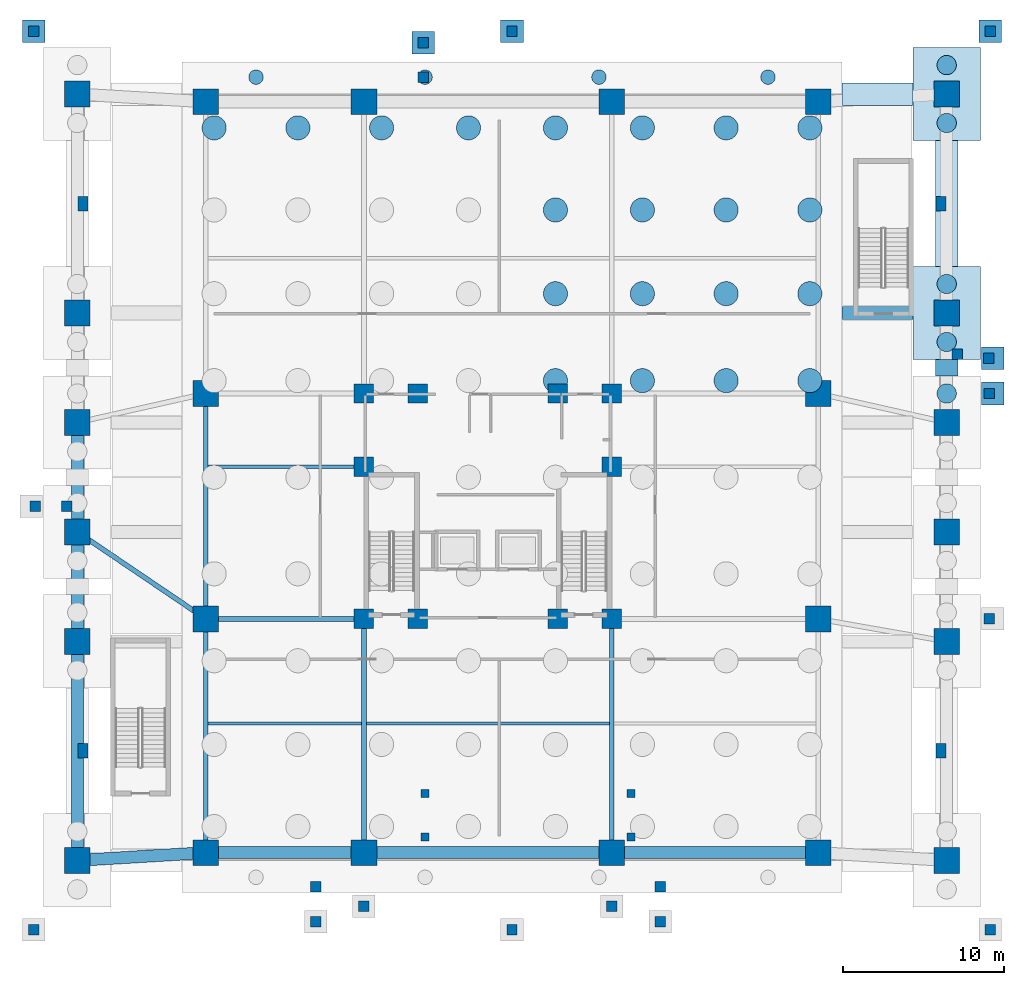
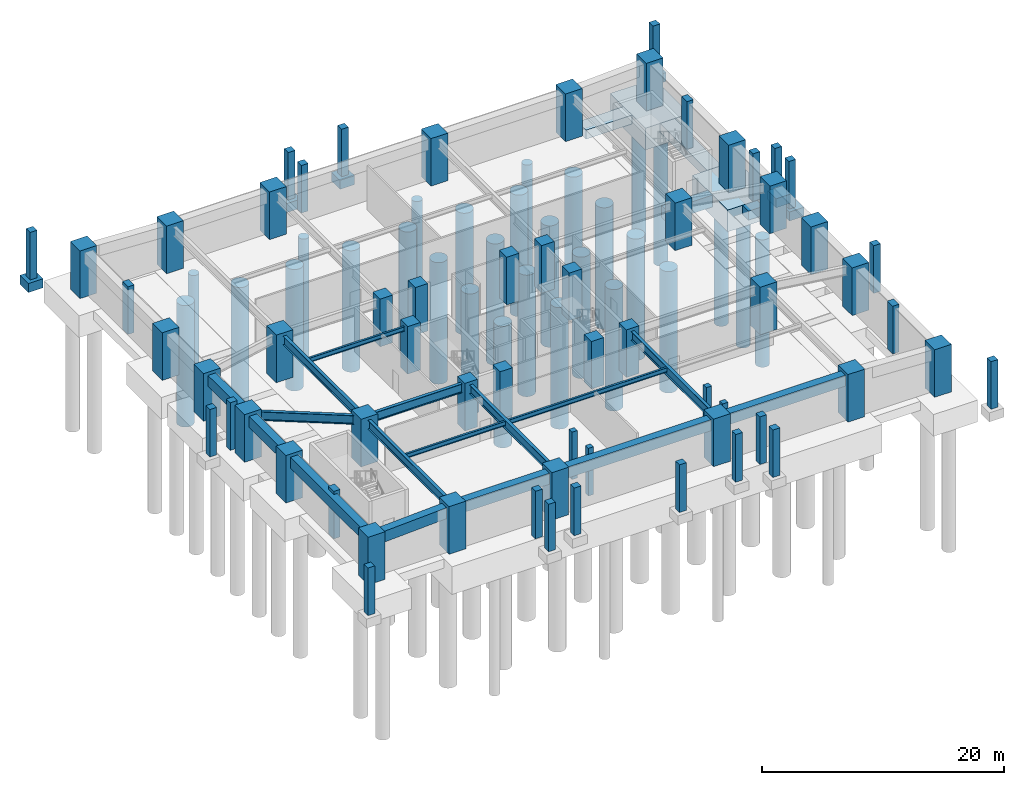
# One storey, part 2 of 8: 62 columns, 29 piles, 16 beams, 12 footings.
"""IFC4 building model written with IfcOpenShell, lengths in metres."""

from ifc_helpers import new_model, si_unit, derived_unit, direction, frame, origin, origin_2d, place, context, subcontext, project, spatial, polyline, rectangle, circle, i_section, outline, extrude, material, layer, layer_set, material_profile, profile_set, type_object, element, save


model = new_model("IFC4")

# Units and contexts
model_context = context("Model", 3, precision=1e-05, world=origin(), true_north=direction((0.0, 1.0)))
body_context = subcontext(model_context, "Body", "Model", "MODEL_VIEW")
ifc_project = project(units=[si_unit("LENGTHUNIT", "METRE"), si_unit("AREAUNIT", "SQUARE_METRE"), si_unit("VOLUMEUNIT", "CUBIC_METRE"), si_unit("PLANEANGLEUNIT", "RADIAN"), si_unit("MASSUNIT", "GRAM", prefix="KILO"), derived_unit("THERMALTRANSMITTANCEUNIT", [(si_unit("MASSUNIT", "GRAM", prefix="KILO"), 1), (si_unit("TIMEUNIT", "SECOND"), -3), (si_unit("THERMODYNAMICTEMPERATUREUNIT", "KELVIN"), -1)])], contexts=[model_context])

# Site, building, storey
site_placement = place(None, origin())
site = spatial("IfcSite", under=ifc_project, at=site_placement, CompositionType="ELEMENT")
building_placement = place(site_placement, origin())
building = spatial("IfcBuilding", under=site, at=building_placement, Name="Korrvale Station Residences", CompositionType="ELEMENT")
storey_placement = place(building_placement, frame((0.0, 0.0, -9.60009765625)))
storey = spatial("IfcBuildingStorey", under=building, at=storey_placement, Name="B02", CompositionType="ELEMENT", Elevation=-9.60009765625)

# Footings
ifc_material_1 = material(Name="Concrete C50/60", Category="concrete")
ifc_layer_1 = layer(ifc_material_1, 2.199951171875, Name="Concrete C50/60")
ifc_layer_set_1 = layer_set([ifc_layer_1], Name="Concrete C50/60")
footing_type_1 = type_object("IfcFootingType", Name="FTG-CAP-4200x5800", PredefinedType="PILE_CAP", material=ifc_layer_set_1)
footing_1_placement = place(storey_placement, frame((0.0, 0.0, -2.199951171875)))
element("IfcFooting", 1, at=footing_1_placement, inside=storey, type_object=footing_type_1, Name="Station Mega-Column Pile Cap PC-11", PredefinedType="PILE_CAP", context=body_context, shape_type="SweptSolid", body=[
    extrude(outline(polyline([(51.89990234375, 31.10009765625), (56.10009765625, 31.10009765625), (56.10009765625, 36.89990234375), (51.89990234375, 36.89990234375), (51.89990234375, 31.10009765625)])), origin(), (0.0, 0.0, 1.0), 2.199951171875),
])
footing_2_placement = place(storey_placement, frame((0.0, 0.0, -2.199951171875)))
element("IfcFooting", 2, at=footing_2_placement, inside=storey, type_object=footing_type_1, Name="Station Mega-Column Pile Cap PC-12", PredefinedType="PILE_CAP", context=body_context, shape_type="SweptSolid", body=[
    extrude(outline(polyline([(51.89990234375, 44.699951171875), (56.10009765625, 44.699951171875), (56.10009765625, 50.5), (51.89990234375, 50.5), (51.89990234375, 44.699951171875)])), origin(), (0.0, 0.0, 1.0), 2.199951171875),
])
ifc_layer_2 = layer(ifc_material_1, 1.199951171875, Name="Concrete C50/60")
ifc_layer_set_2 = layer_set([ifc_layer_2], Name="Concrete C50/60")
footing_type_2 = type_object("IfcFootingType", Name="FTG-GB-800x1200", PredefinedType="FOOTING_BEAM", material=ifc_layer_set_2)
footing_3_placement = place(storey_placement, frame((0.0, 0.0, -1.199951171875)))
element("IfcFooting", 3, at=footing_3_placement, inside=storey, type_object=footing_type_2, Name="Foundation Tie Ground Beam GB-08", PredefinedType="FOOTING_BEAM", context=body_context, shape_type="SweptSolid", body=[
    extrude(outline(polyline([(47.5, 33.60009765625), (51.89990234375, 33.60009765625), (51.89990234375, 34.39990234375), (47.5, 34.39990234375), (47.5, 33.60009765625)])), origin(), (0.0, 0.0, 1.0), 1.199951171875),
])
ifc_layer_3 = layer(ifc_material_1, 0.89990234375, Name="Concrete C50/60")
ifc_layer_set_3 = layer_set([ifc_layer_3], Name="Concrete C50/60")
footing_type_3 = type_object("IfcFootingType", Name="FTG-SF-1400x900", PredefinedType="STRIP_FOOTING", material=ifc_layer_set_3)
footing_4_placement = place(storey_placement, frame((0.0, 0.0, -0.89990234375)))
element("IfcFooting", 4, at=footing_4_placement, inside=storey, type_object=footing_type_3, Name="Perimeter Retaining Wall Strip Footing SF-09", PredefinedType="STRIP_FOOTING", context=body_context, shape_type="SweptSolid", body=[
    extrude(outline(polyline([(53.300048828125, 30.10009765625), (54.699951171875, 30.10009765625), (54.699951171875, 31.10009765625), (53.300048828125, 31.10009765625), (53.300048828125, 30.10009765625)])), origin(), (0.0, 0.0, 1.0), 0.89990234375),
])
footing_5_placement = place(storey_placement, frame((0.0, 0.0, -0.89990234375)))
element("IfcFooting", 5, at=footing_5_placement, inside=storey, type_object=footing_type_3, Name="Perimeter Retaining Wall Strip Footing SF-10", PredefinedType="STRIP_FOOTING", context=body_context, shape_type="SweptSolid", body=[
    extrude(outline(polyline([(53.300048828125, 36.89990234375), (54.699951171875, 36.89990234375), (54.699951171875, 44.699951171875), (53.300048828125, 44.699951171875), (53.300048828125, 36.89990234375)])), origin(), (0.0, 0.0, 1.0), 0.89990234375),
])
footing_6_placement = place(storey_placement, frame((0.0, 0.0, -0.89990234375)))
element("IfcFooting", 6, at=footing_6_placement, inside=storey, type_object=footing_type_3, Name="Perimeter Retaining Wall Strip Footing SF-14", PredefinedType="STRIP_FOOTING", context=body_context, shape_type="SweptSolid", body=[
    extrude(outline(polyline([(47.5, 46.89990234375), (51.89990234375, 46.89990234375), (51.89990234375, 48.300048828125), (47.5, 48.300048828125), (47.5, 46.89990234375)])), origin(), (0.0, 0.0, 1.0), 0.89990234375),
])
footing_7_placement = place(storey_placement, frame((0.0, 0.0, -0.89990234375)))
element("IfcFooting", 7, at=footing_7_placement, inside=storey, type_object=footing_type_3, Name="Plaza Frost Pier Footing 4", PredefinedType="STRIP_FOOTING", context=body_context, shape_type="SweptSolid", body=[
    extrude(outline(polyline([(-3.39990234375, 50.800048828125), (-2.0, 50.800048828125), (-2.0, 52.199951171875), (-3.39990234375, 52.199951171875), (-3.39990234375, 50.800048828125)])), origin(), (0.0, 0.0, 1.0), 0.89990234375),
])
footing_8_placement = place(storey_placement, frame((0.0, 0.0, -0.89990234375)))
element("IfcFooting", 8, at=footing_8_placement, inside=storey, type_object=footing_type_3, Name="Plaza Frost Pier Footing 5", PredefinedType="STRIP_FOOTING", context=body_context, shape_type="SweptSolid", body=[
    extrude(outline(polyline([(26.300048828125, 50.800048828125), (27.699951171875, 50.800048828125), (27.699951171875, 52.199951171875), (26.300048828125, 52.199951171875), (26.300048828125, 50.800048828125)])), origin(), (0.0, 0.0, 1.0), 0.89990234375),
])
footing_9_placement = place(storey_placement, frame((0.0, 0.0, -0.89990234375)))
element("IfcFooting", 9, at=footing_9_placement, inside=storey, type_object=footing_type_3, Name="Plaza Frost Pier Footing 6", PredefinedType="STRIP_FOOTING", context=body_context, shape_type="SweptSolid", body=[
    extrude(outline(polyline([(56.0, 50.800048828125), (57.39990234375, 50.800048828125), (57.39990234375, 52.199951171875), (56.0, 52.199951171875), (56.0, 50.800048828125)])), origin(), (0.0, 0.0, 1.0), 0.89990234375),
])
footing_10_placement = place(storey_placement, frame((0.0, 0.0, -0.89990234375)))
element("IfcFooting", 10, at=footing_10_placement, inside=storey, type_object=footing_type_3, Name="Plaza Frost Pier Footing 11", PredefinedType="STRIP_FOOTING", context=body_context, shape_type="SweptSolid", body=[
    extrude(outline(polyline([(20.800048828125, 50.10009765625), (22.199951171875, 50.10009765625), (22.199951171875, 51.5), (20.800048828125, 51.5), (20.800048828125, 50.10009765625)])), origin(), (0.0, 0.0, 1.0), 0.89990234375),
])
footing_11_placement = place(storey_placement, frame((0.0, 0.0, -0.89990234375)))
element("IfcFooting", 11, at=footing_11_placement, inside=storey, type_object=footing_type_3, Name="Plaza Frost Pier Footing 15", PredefinedType="STRIP_FOOTING", context=body_context, shape_type="SweptSolid", body=[
    extrude(outline(polyline([(56.159912109375, 30.5), (57.56005859375, 30.5), (57.56005859375, 31.89990234375), (56.159912109375, 31.89990234375), (56.159912109375, 30.5)])), origin(), (0.0, 0.0, 1.0), 0.89990234375),
])
footing_12_placement = place(storey_placement, frame((0.0, 0.0, -0.89990234375)))
element("IfcFooting", 12, at=footing_12_placement, inside=storey, type_object=footing_type_3, Name="Canopy Portal Footing EAST2", PredefinedType="STRIP_FOOTING", context=body_context, shape_type="SweptSolid", body=[
    extrude(outline(polyline([(56.14990234375, 28.300048828125), (57.550048828125, 28.300048828125), (57.550048828125, 29.699951171875), (56.14990234375, 29.699951171875), (56.14990234375, 28.300048828125)])), origin(), (0.0, 0.0, 1.0), 0.89990234375),
])

# Piles
ifc_material_profile_1 = material_profile(ifc_material_1, circle(Radius=0.60009765625, at=origin_2d()), Name="PILE1200")
ifc_profile_set_1 = profile_set([ifc_material_profile_1], Name="Concrete C50/60")
pile_type_1 = type_object("IfcPileType", Name="PILE-BORED-1200", PredefinedType="BORED", material=ifc_profile_set_1)
for number, where, z_axis, x_axis, name in (
    (13, (54.0, 29.0, -2.0498046875), (0.0, 0.0, -1.0), (1.0, 0.0, 0.0), "Station Rock-Socketed Caisson P2-20"),
    (14, (54.0, 32.199951171875, -2.0498046875), (0.0, 0.0, -1.0), (1.0, 0.0, 0.0), "Station Rock-Socketed Caisson P2-21"),
    (15, (54.0, 35.800048828125, -2.0498046875), (0.0, 0.0, -1.0), (1.0, 0.0, 0.0), "Station Rock-Socketed Caisson P2-22"),
    (16, (54.0, 45.800048828125, -2.0498046875), (0.0, 0.0, -1.0), (1.0, 0.0, 0.0), "Station Rock-Socketed Caisson P2-23"),
    (17, (54.0, 49.39990234375, -2.0498046875), (0.0, 0.0, -1.0), (1.0, 0.0, 0.0), "Station Rock-Socketed Caisson P2-24"),
):
    element("IfcPile", number, at=place(storey_placement, frame(where, z_axis=z_axis, x_axis=x_axis)), inside=storey, type_object=pile_type_1, Name=name, PredefinedType="BORED", context=body_context, shape_type="SweptSolid", body=[
        extrude(circle(Radius=0.60009765625, at=origin_2d()), origin(), (0.0, 0.0, 1.0), 12.85009765625),
    ])
ifc_material_profile_2 = material_profile(ifc_material_1, circle(Radius=0.75, at=origin_2d()), Name="PILE1500")
ifc_profile_set_2 = profile_set([ifc_material_profile_2], Name="Concrete C50/60")
pile_type_2 = type_object("IfcPileType", Name="PILE-BORED-1500", PredefinedType="BORED", material=ifc_profile_set_2)
for number, where, z_axis, x_axis, name in (
    (18, (8.5, 45.5, -2.64990234375), (0.0, 0.0, -1.0), (1.0, 0.0, 0.0), "Tower Rock-Socketed Caisson P1-09"),
    (19, (13.699951171875, 45.5, -2.64990234375), (0.0, 0.0, -1.0), (1.0, 0.0, 0.0), "Tower Rock-Socketed Caisson P1-18"),
    (20, (18.89990234375, 45.5, -2.64990234375), (0.0, 0.0, -1.0), (1.0, 0.0, 0.0), "Tower Rock-Socketed Caisson P1-27"),
    (21, (24.300048828125, 45.5, -2.64990234375), (0.0, 0.0, -1.0), (1.0, 0.0, 0.0), "Tower Rock-Socketed Caisson P1-36"),
    (22, (29.699951171875, 29.800048828125, -2.64990234375), (0.0, 0.0, -1.0), (1.0, 0.0, 0.0), "Tower Rock-Socketed Caisson P1-42"),
    (23, (29.699951171875, 35.199951171875, -2.64990234375), (0.0, 0.0, -1.0), (1.0, 0.0, 0.0), "Tower Rock-Socketed Caisson P1-43"),
    (24, (29.699951171875, 40.39990234375, -2.64990234375), (0.0, 0.0, -1.0), (1.0, 0.0, 0.0), "Tower Rock-Socketed Caisson P1-44"),
    (25, (29.699951171875, 45.5, -2.64990234375), (0.0, 0.0, -1.0), (1.0, 0.0, 0.0), "Tower Rock-Socketed Caisson P1-45"),
    (26, (35.10009765625, 29.800048828125, -2.64990234375), (0.0, 0.0, -1.0), (1.0, 0.0, 0.0), "Tower Rock-Socketed Caisson P1-51"),
    (27, (35.10009765625, 35.199951171875, -2.64990234375), (0.0, 0.0, -1.0), (1.0, 0.0, 0.0), "Tower Rock-Socketed Caisson P1-52"),
    (28, (35.10009765625, 40.39990234375, -2.64990234375), (0.0, 0.0, -1.0), (1.0, 0.0, 0.0), "Tower Rock-Socketed Caisson P1-53"),
    (29, (35.10009765625, 45.5, -2.64990234375), (0.0, 0.0, -1.0), (1.0, 0.0, 0.0), "Tower Rock-Socketed Caisson P1-54"),
    (30, (40.300048828125, 29.800048828125, -2.64990234375), (0.0, 0.0, -1.0), (1.0, 0.0, 0.0), "Tower Rock-Socketed Caisson P1-60"),
    (31, (40.300048828125, 35.199951171875, -2.64990234375), (0.0, 0.0, -1.0), (1.0, 0.0, 0.0), "Tower Rock-Socketed Caisson P1-61"),
    (32, (40.300048828125, 40.39990234375, -2.64990234375), (0.0, 0.0, -1.0), (1.0, 0.0, 0.0), "Tower Rock-Socketed Caisson P1-62"),
    (33, (40.300048828125, 45.5, -2.64990234375), (0.0, 0.0, -1.0), (1.0, 0.0, 0.0), "Tower Rock-Socketed Caisson P1-63"),
    (34, (45.5, 29.800048828125, -2.64990234375), (0.0, 0.0, -1.0), (1.0, 0.0, 0.0), "Tower Rock-Socketed Caisson P1-69"),
    (35, (45.5, 35.199951171875, -2.64990234375), (0.0, 0.0, -1.0), (1.0, 0.0, 0.0), "Tower Rock-Socketed Caisson P1-70"),
    (36, (45.5, 40.39990234375, -2.64990234375), (0.0, 0.0, -1.0), (1.0, 0.0, 0.0), "Tower Rock-Socketed Caisson P1-71"),
    (37, (45.5, 45.5, -2.64990234375), (0.0, 0.0, -1.0), (1.0, 0.0, 0.0), "Tower Rock-Socketed Caisson P1-72"),
):
    element("IfcPile", number, at=place(storey_placement, frame(where, z_axis=z_axis, x_axis=x_axis)), inside=storey, type_object=pile_type_2, Name=name, PredefinedType="BORED", context=body_context, shape_type="SweptSolid", body=[
        extrude(circle(Radius=0.75, at=origin_2d()), origin(), (0.0, 0.0, 1.0), 12.25),
    ])
ifc_material_profile_3 = material_profile(ifc_material_1, circle(Radius=0.449951171875, at=origin_2d()), Name="PILE900")
ifc_profile_set_3 = profile_set([ifc_material_profile_3], Name="Concrete C50/60")
pile_type_3 = type_object("IfcPileType", Name="PILE-SUPPORT-900", PredefinedType="SUPPORT", material=ifc_profile_set_3)
for number, where, z_axis, x_axis, name in (
    (38, (11.10009765625, 48.64990234375, -2.64990234375), (0.0, 0.0, -1.0), (1.0, 0.0, 0.0), "Perimeter Support Caisson P3-05"),
    (39, (21.60009765625, 48.64990234375, -2.64990234375), (0.0, 0.0, -1.0), (1.0, 0.0, 0.0), "Perimeter Support Caisson P3-06"),
    (40, (32.39990234375, 48.64990234375, -2.64990234375), (0.0, 0.0, -1.0), (1.0, 0.0, 0.0), "Perimeter Support Caisson P3-07"),
    (41, (42.89990234375, 48.64990234375, -2.64990234375), (0.0, 0.0, -1.0), (1.0, 0.0, 0.0), "Perimeter Support Caisson P3-08"),
):
    element("IfcPile", number, at=place(storey_placement, frame(where, z_axis=z_axis, x_axis=x_axis)), inside=storey, type_object=pile_type_3, Name=name, PredefinedType="SUPPORT", context=body_context, shape_type="SweptSolid", body=[
        extrude(circle(Radius=0.449951171875, at=origin_2d()), origin(), (0.0, 0.0, 1.0), 12.25),
    ])

# Columns
ifc_material_2 = material(Name="Concrete C70/85", Category="concrete")
ifc_material_profile_4 = material_profile(ifc_material_2, rectangle(XDim=1.199951171875, YDim=1.199951171875, at=origin_2d()), Name="RC1200x1200")
ifc_profile_set_4 = profile_set([ifc_material_profile_4], Name="Concrete C70/85")
column_type_1 = type_object("IfcColumnType", Name="COL-C-RC1200x1200-C7085", PredefinedType="COLUMN", material=ifc_profile_set_4)
for number, where, z_axis, x_axis, name in (
    (42, (17.800048828125, 15.0, 0.0), (0.0, 0.0, 1.0), (1.0, 0.0, 0.0), "B02 Core Column 25"),
    (43, (21.14990234375, 15.0, 0.0), (0.0, 0.0, 1.0), (1.0, 0.0, 0.0), "B02 Core Column 26"),
    (44, (29.85009765625, 15.0, 0.0), (0.0, 0.0, 1.0), (1.0, 0.0, 0.0), "B02 Core Column 27"),
    (45, (33.199951171875, 15.0, 0.0), (0.0, 0.0, 1.0), (1.0, 0.0, 0.0), "B02 Core Column 28"),
    (46, (17.800048828125, 29.0, 0.0), (0.0, 0.0, 1.0), (1.0, 0.0, 0.0), "B02 Core Column 29"),
    (47, (21.14990234375, 29.0, 0.0), (0.0, 0.0, 1.0), (1.0, 0.0, 0.0), "B02 Core Column 30"),
    (48, (29.85009765625, 29.0, 0.0), (0.0, 0.0, 1.0), (1.0, 0.0, 0.0), "B02 Core Column 31"),
    (49, (33.199951171875, 29.0, 0.0), (0.0, 0.0, 1.0), (1.0, 0.0, 0.0), "B02 Core Column 32"),
    (50, (17.800048828125, 24.449951171875, 0.0), (0.0, 0.0, 1.0), (1.0, 0.0, 0.0), "B02 Core Column 33"),
    (51, (33.199951171875, 24.449951171875, 0.0), (0.0, 0.0, 1.0), (1.0, 0.0, 0.0), "B02 Core Column 34"),
):
    element("IfcColumn", number, at=place(storey_placement, frame(where, z_axis=z_axis, x_axis=x_axis)), inside=storey, type_object=column_type_1, Name=name, PredefinedType="COLUMN", context=body_context, shape_type="SweptSolid", body=[
        extrude(rectangle(XDim=1.199951171875, YDim=1.199951171875, at=origin_2d()), origin(), (0.0, 0.0, 1.0), 4.800048828125),
    ])
ifc_material_profile_5 = material_profile(ifc_material_2, rectangle(XDim=1.60009765625, YDim=1.60009765625, at=origin_2d()), Name="RC1600x1600")
ifc_profile_set_5 = profile_set([ifc_material_profile_5], Name="Concrete C70/85")
column_type_2 = type_object("IfcColumnType", Name="COL-C-RC1600x1600-C7085", PredefinedType="COLUMN", material=ifc_profile_set_5)
for number, where, z_axis, x_axis, name in (
    (52, (0.0, 0.0, 0.0), (0.0, 0.0, 1.0), (1.0, 0.0, 0.0), "B02 Station Mega-Column 01"),
    (53, (0.0, 13.60009765625, 0.0), (0.0, 0.0, 1.0), (1.0, 0.0, 0.0), "B02 Station Mega-Column 02"),
    (54, (0.0, 20.39990234375, 0.0), (0.0, 0.0, 1.0), (1.0, 0.0, 0.0), "B02 Station Mega-Column 03"),
    (55, (0.0, 27.199951171875, 0.0), (0.0, 0.0, 1.0), (1.0, 0.0, 0.0), "B02 Station Mega-Column 04"),
    (56, (0.0, 34.0, 0.0), (0.0, 0.0, 1.0), (1.0, 0.0, 0.0), "B02 Station Mega-Column 05"),
    (57, (0.0, 47.60009765625, 0.0), (0.0, 0.0, 1.0), (1.0, 0.0, 0.0), "B02 Station Mega-Column 06"),
    (58, (54.0, 0.0, 0.0), (0.0, 0.0, 1.0), (1.0, 0.0, 0.0), "B02 Station Mega-Column 07"),
    (59, (54.0, 13.60009765625, 0.0), (0.0, 0.0, 1.0), (1.0, 0.0, 0.0), "B02 Station Mega-Column 08"),
    (60, (54.0, 20.39990234375, 0.0), (0.0, 0.0, 1.0), (1.0, 0.0, 0.0), "B02 Station Mega-Column 09"),
    (61, (54.0, 27.199951171875, 0.0), (0.0, 0.0, 1.0), (1.0, 0.0, 0.0), "B02 Station Mega-Column 10"),
    (62, (54.0, 34.0, 0.0), (0.0, 0.0, 1.0), (1.0, 0.0, 0.0), "B02 Station Mega-Column 11"),
    (63, (54.0, 47.60009765625, 0.0), (0.0, 0.0, 1.0), (1.0, 0.0, 0.0), "B02 Station Mega-Column 12"),
    (64, (7.97998046875, 0.47998046875, 0.0), (0.0, 0.0, 1.0), (1.0, 0.0, 0.0), "B02 Station Mega-Column 13"),
    (65, (7.97998046875, 15.0, 0.0), (0.0, 0.0, 1.0), (1.0, 0.0, 0.0), "B02 Station Mega-Column 14"),
    (66, (7.97998046875, 29.0, 0.0), (0.0, 0.0, 1.0), (1.0, 0.0, 0.0), "B02 Station Mega-Column 15"),
    (67, (7.97998046875, 47.1201171875, 0.0), (0.0, 0.0, 1.0), (1.0, 0.0, 0.0), "B02 Station Mega-Column 16"),
    (68, (46.02001953125, 0.47998046875, 0.0), (0.0, 0.0, 1.0), (1.0, 0.0, 0.0), "B02 Station Mega-Column 17"),
    (69, (46.02001953125, 15.0, 0.0), (0.0, 0.0, 1.0), (1.0, 0.0, 0.0), "B02 Station Mega-Column 18"),
    (70, (46.02001953125, 29.0, 0.0), (0.0, 0.0, 1.0), (1.0, 0.0, 0.0), "B02 Station Mega-Column 19"),
    (71, (46.02001953125, 47.1201171875, 0.0), (0.0, 0.0, 1.0), (1.0, 0.0, 0.0), "B02 Station Mega-Column 20"),
    (72, (17.800048828125, 0.47998046875, 0.0), (0.0, 0.0, 1.0), (1.0, 0.0, 0.0), "B02 Station Mega-Column 21"),
    (73, (17.800048828125, 47.1201171875, 0.0), (0.0, 0.0, 1.0), (1.0, 0.0, 0.0), "B02 Station Mega-Column 22"),
    (74, (33.199951171875, 0.47998046875, 0.0), (0.0, 0.0, 1.0), (1.0, 0.0, 0.0), "B02 Station Mega-Column 23"),
    (75, (33.199951171875, 47.1201171875, 0.0), (0.0, 0.0, 1.0), (1.0, 0.0, 0.0), "B02 Station Mega-Column 24"),
):
    element("IfcColumn", number, at=place(storey_placement, frame(where, z_axis=z_axis, x_axis=x_axis)), inside=storey, type_object=column_type_2, Name=name, PredefinedType="COLUMN", context=body_context, shape_type="SweptSolid", body=[
        extrude(rectangle(XDim=1.60009765625, YDim=1.60009765625, at=origin_2d()), origin(), (0.0, 0.0, 1.0), 4.800048828125),
    ])
ifc_material_profile_6 = material_profile(ifc_material_2, rectangle(XDim=0.5, YDim=0.5, at=origin_2d()), Name="RC500x500")
ifc_profile_set_6 = profile_set([ifc_material_profile_6], Name="Concrete C70/85")
column_type_3 = type_object("IfcColumnType", Name="COL-C-RC500x500-C7085", PredefinedType="COLUMN", material=ifc_profile_set_6)
for number, where, z_axis, x_axis, name in (
    (76, (21.60009765625, 1.449951171875, 0.0), (0.0, 0.0, 1.0), (1.0, 0.0, 0.0), "B02 Vehicle Ramp Foundation Pier 1S"),
    (77, (21.60009765625, 4.14990234375, 0.0), (0.0, 0.0, 1.0), (1.0, 0.0, 0.0), "B02 Vehicle Ramp Foundation Pier 1N"),
    (78, (34.39990234375, 1.449951171875, 0.0), (0.0, 0.0, 1.0), (1.0, 0.0, 0.0), "B02 Vehicle Ramp Foundation Pier 2S"),
    (79, (34.39990234375, 4.14990234375, 0.0), (0.0, 0.0, 1.0), (1.0, 0.0, 0.0), "B02 Vehicle Ramp Foundation Pier 2N"),
):
    element("IfcColumn", number, at=place(storey_placement, frame(where, z_axis=z_axis, x_axis=x_axis)), inside=storey, type_object=column_type_3, Name=name, PredefinedType="COLUMN", context=body_context, shape_type="SweptSolid", body=[
        extrude(rectangle(XDim=0.5, YDim=0.5, at=origin_2d()), origin(), (0.0, 0.0, 1.0), 4.800048828125),
    ])
ifc_material_profile_7 = material_profile(ifc_material_1, rectangle(XDim=0.64990234375, YDim=0.64990234375, at=origin_2d()), Name="RC650x650")
ifc_profile_set_7 = profile_set([ifc_material_profile_7], Name="Concrete C50/60")
column_type_4 = type_object("IfcColumnType", Name="COL-C-RC650x650-C5060", PredefinedType="COLUMN", material=ifc_profile_set_7)
for number, where, z_axis, x_axis, name in (
    (80, (-2.699951171875, -4.300048828125, 0.0), (0.0, 0.0, 1.0), (1.0, 0.0, 0.0), "B02 Plaza Substructure Pier 1"),
    (81, (27.0, -4.300048828125, 0.0), (0.0, 0.0, 1.0), (1.0, 0.0, 0.0), "B02 Plaza Substructure Pier 2"),
    (82, (56.699951171875, -4.300048828125, 0.0), (0.0, 0.0, 1.0), (1.0, 0.0, 0.0), "B02 Plaza Substructure Pier 3"),
    (83, (-2.699951171875, 51.5, 0.0), (0.0, 0.0, 1.0), (1.0, 0.0, 0.0), "B02 Plaza Substructure Pier 4"),
    (84, (27.0, 51.5, 0.0), (0.0, 0.0, 1.0), (1.0, 0.0, 0.0), "B02 Plaza Substructure Pier 5"),
    (85, (56.699951171875, 51.5, 0.0), (0.0, 0.0, 1.0), (1.0, 0.0, 0.0), "B02 Plaza Substructure Pier 6"),
    (86, (14.800048828125, -3.800048828125, 0.0), (0.0, 0.0, 1.0), (1.0, 0.0, 0.0), "B02 Plaza Substructure Pier 7"),
    (87, (14.800048828125, -1.639892578125, 0.0), (0.0, 0.0, 1.0), (1.0, 0.0, 0.0), "B02 Plaza Substructure Pier 8"),
    (88, (36.199951171875, -3.800048828125, 0.0), (0.0, 0.0, 1.0), (1.0, 0.0, 0.0), "B02 Plaza Substructure Pier 9"),
    (89, (36.199951171875, -1.639892578125, 0.0), (0.0, 0.0, 1.0), (1.0, 0.0, 0.0), "B02 Plaza Substructure Pier 10"),
    (90, (21.5, 50.800048828125, 0.0), (0.0, 0.0, 1.0), (1.0, 0.0, 0.0), "B02 Plaza Substructure Pier 11"),
    (91, (21.5, 48.639892578125, 0.0), (0.0, 0.0, 1.0), (1.0, 0.0, 0.0), "B02 Plaza Substructure Pier 12"),
    (92, (-2.60009765625, 22.0, 0.0), (0.0, 0.0, 1.0), (1.0, 0.0, 0.0), "B02 Plaza Substructure Pier 13"),
    (93, (-0.64990234375, 22.0, 0.0), (0.0, 0.0, 1.0), (1.0, 0.0, 0.0), "B02 Plaza Substructure Pier 14"),
    (94, (56.60009765625, 31.199951171875, 0.0), (0.0, 0.0, 1.0), (1.0, 0.0, 0.0), "B02 Plaza Substructure Pier 15"),
    (95, (54.64990234375, 31.449951171875, 0.0), (0.0, 0.0, 1.0), (1.0, 0.0, 0.0), "B02 Plaza Substructure Pier 16"),
    (96, (17.800048828125, -2.85009765625, 0.0), (0.0, 0.0, 1.0), (1.0, 0.0, 0.0), "B02 Canopy Substructure Column SOUTH1"),
    (97, (33.199951171875, -2.85009765625, 0.0), (0.0, 0.0, 1.0), (1.0, 0.0, 0.0), "B02 Canopy Substructure Column SOUTH2"),
    (98, (56.64990234375, 15.0, 0.0), (0.0, 0.0, 1.0), (1.0, 0.0, 0.0), "B02 Canopy Substructure Column EAST1"),
    (99, (56.64990234375, 29.0, 0.0), (0.0, 0.0, 1.0), (1.0, 0.0, 0.0), "B02 Canopy Substructure Column EAST2"),
):
    element("IfcColumn", number, at=place(storey_placement, frame(where, z_axis=z_axis, x_axis=x_axis)), inside=storey, type_object=column_type_4, Name=name, PredefinedType="COLUMN", context=body_context, shape_type="SweptSolid", body=[
        extrude(rectangle(XDim=0.64990234375, YDim=0.64990234375, at=origin_2d()), origin(), (0.0, 0.0, 1.0), 4.800048828125),
    ])
ifc_material_profile_8 = material_profile(ifc_material_2, rectangle(XDim=0.60009765625, YDim=0.89990234375, at=origin_2d()), Name="RC600x900")
ifc_profile_set_8 = profile_set([ifc_material_profile_8], Name="Concrete C70/85")
column_type_5 = type_object("IfcColumnType", Name="COL-PIL-RC600x900-C7085", PredefinedType="PILASTER", material=ifc_profile_set_8)
for number, where, z_axis, x_axis, name in (
    (100, (0.35009765625, 6.800048828125, 0.0), (0.0, 0.0, 1.0), (1.0, 0.0, 0.0), "B02 Concourse Portal Wall Pilaster 1"),
    (101, (0.35009765625, 40.800048828125, 0.0), (0.0, 0.0, 1.0), (1.0, 0.0, 0.0), "B02 Concourse Portal Wall Pilaster 2"),
    (102, (53.64990234375, 6.800048828125, 0.0), (0.0, 0.0, 1.0), (1.0, 0.0, 0.0), "B02 Concourse Portal Wall Pilaster 3"),
    (103, (53.64990234375, 40.800048828125, 0.0), (0.0, 0.0, 1.0), (1.0, 0.0, 0.0), "B02 Concourse Portal Wall Pilaster 4"),
):
    element("IfcColumn", number, at=place(storey_placement, frame(where, z_axis=z_axis, x_axis=x_axis)), inside=storey, type_object=column_type_5, Name=name, PredefinedType="PILASTER", context=body_context, shape_type="SweptSolid", body=[
        extrude(rectangle(XDim=0.60009765625, YDim=0.89990234375, at=origin_2d()), origin(), (0.0, 0.0, 1.0), 4.800048828125),
    ])

# Beams
ifc_material_3 = material(Name="Steel S355", Category="steel")
ifc_material_profile_9 = material_profile(ifc_material_3, i_section(OverallWidth=0.300048828125, OverallDepth=0.89990234375, WebThickness=0.01611328125, FlangeThickness=0.030029296875, FilletRadius=0.01611328125, at=origin_2d()), Name="WWF900x262")
ifc_profile_set_9 = profile_set([ifc_material_profile_9], Name="Steel S355")
beam_type_1 = type_object("IfcBeamType", Name="BM-BM-WWF900x262-S355", PredefinedType="BEAM", material=ifc_profile_set_9)
beam_1_placement = place(storey_placement, frame((7.97998046875, 0.47998046875, 4.030029296875), z_axis=(0.0, 1.0, 0.0), x_axis=(-1.0, 0.0, 0.0)))
element("IfcBeam", 104, at=beam_1_placement, inside=storey, type_object=beam_type_1, Name="B02 Station Primary Girder 01", PredefinedType="BEAM", context=body_context, shape_type="SweptSolid", body=[
    extrude(i_section(OverallWidth=0.300048828125, OverallDepth=0.89990234375, WebThickness=0.01611328125, FlangeThickness=0.030029296875, FilletRadius=0.01611328125, at=origin_2d()), origin(), (0.0, 0.0, 1.0), 14.52001953125),
])
beam_2_placement = place(storey_placement, frame((7.97998046875, 15.0, 4.030029296875), z_axis=(0.0, 1.0, 0.0), x_axis=(-1.0, 0.0, 0.0)))
element("IfcBeam", 105, at=beam_2_placement, inside=storey, type_object=beam_type_1, Name="B02 Station Primary Girder 02", PredefinedType="BEAM", context=body_context, shape_type="SweptSolid", body=[
    extrude(i_section(OverallWidth=0.300048828125, OverallDepth=0.89990234375, WebThickness=0.01611328125, FlangeThickness=0.030029296875, FilletRadius=0.01611328125, at=origin_2d()), origin(), (0.0, 0.0, 1.0), 14.0),
])
beam_3_placement = place(storey_placement, frame((7.97998046875, 15.0, 4.030029296875), z_axis=(1.0, 0.0, 0.0), x_axis=(0.0, 1.0, 0.0)))
element("IfcBeam", 106, at=beam_3_placement, inside=storey, type_object=beam_type_1, Name="B02 Station Primary Girder 07", PredefinedType="BEAM", context=body_context, shape_type="SweptSolid", body=[
    extrude(i_section(OverallWidth=0.300048828125, OverallDepth=0.89990234375, WebThickness=0.01611328125, FlangeThickness=0.030029296875, FilletRadius=0.01611328125, at=origin_2d()), origin(), (0.0, 0.0, 1.0), 9.820068359375),
])
beam_4_placement = place(storey_placement, frame((0.0, 20.39990234375, 4.030029296875), z_axis=(0.828202472812, -0.560428999989, 0.0), x_axis=(0.560428999989, 0.828202472812, 0.0)))
element("IfcBeam", 107, at=beam_4_placement, inside=storey, type_object=beam_type_1, Name="B02 Station Primary Girder 11", PredefinedType="BEAM", context=body_context, shape_type="SweptSolid", body=[
    extrude(i_section(OverallWidth=0.300048828125, OverallDepth=0.89990234375, WebThickness=0.01611328125, FlangeThickness=0.030029296875, FilletRadius=0.01611328125, at=origin_2d()), origin(), (0.0, 0.0, 1.0), 9.63525390625),
])
for number, where, z_axis, x_axis, name in (
    (108, (17.800048828125, 0.47998046875, 4.030029296875), (0.0, 1.0, 0.0), (-1.0, 0.0, 0.0), "B02 Station Primary Girder 17"),
    (109, (33.199951171875, 0.47998046875, 4.030029296875), (0.0, 1.0, 0.0), (-1.0, 0.0, 0.0), "B02 Station Primary Girder 18"),
):
    element("IfcBeam", number, at=place(storey_placement, frame(where, z_axis=z_axis, x_axis=x_axis)), inside=storey, type_object=beam_type_1, Name=name, PredefinedType="BEAM", context=body_context, shape_type="SweptSolid", body=[
        extrude(i_section(OverallWidth=0.300048828125, OverallDepth=0.89990234375, WebThickness=0.01611328125, FlangeThickness=0.030029296875, FilletRadius=0.01611328125, at=origin_2d()), origin(), (0.0, 0.0, 1.0), 14.52001953125),
    ])
ifc_material_profile_10 = material_profile(ifc_material_3, i_section(OverallWidth=0.18994140625, OverallDepth=0.45703125, WebThickness=0.009033203125, FlangeThickness=0.014404296875, FilletRadius=0.01611328125, at=origin_2d()), Name="W460x74")
ifc_profile_set_10 = profile_set([ifc_material_profile_10], Name="Steel S355")
beam_type_2 = type_object("IfcBeamType", Name="BM-JST-W460x74-S355", PredefinedType="JOIST", material=ifc_profile_set_10)
for number, where, z_axis, x_axis, name in (
    (110, (8.1298828125, 24.449951171875, 4.251708984375), (1.0, 0.0, 0.0), (0.0, 1.0, 0.0), "B02 Station Floor Joist 04"),
    (111, (8.1298828125, 8.5, 4.251708984375), (1.0, 0.0, 0.0), (0.0, 1.0, 0.0), "B02 Station Floor Joist 05"),
):
    element("IfcBeam", number, at=place(storey_placement, frame(where, z_axis=z_axis, x_axis=x_axis)), inside=storey, type_object=beam_type_2, Name=name, PredefinedType="JOIST", context=body_context, shape_type="SweptSolid", body=[
        extrude(i_section(OverallWidth=0.18994140625, OverallDepth=0.45703125, WebThickness=0.009033203125, FlangeThickness=0.014404296875, FilletRadius=0.01611328125, at=origin_2d()), origin(), (0.0, 0.0, 1.0), 9.52001953125),
    ])
beam_5_placement = place(storey_placement, frame((17.949951171875, 8.5, 4.251708984375), z_axis=(1.0, 0.0, 0.0), x_axis=(0.0, 1.0, 0.0)))
element("IfcBeam", 112, at=beam_5_placement, inside=storey, type_object=beam_type_2, Name="B02 Station Floor Joist 06", PredefinedType="JOIST", context=body_context, shape_type="SweptSolid", body=[
    extrude(i_section(OverallWidth=0.18994140625, OverallDepth=0.45703125, WebThickness=0.009033203125, FlangeThickness=0.014404296875, FilletRadius=0.01611328125, at=origin_2d()), origin(), (0.0, 0.0, 1.0), 15.10009765625),
])
ifc_material_profile_11 = material_profile(ifc_material_2, rectangle(XDim=0.75, YDim=1.10009765625, at=origin_2d()), Name="RCB750x1100")
ifc_profile_set_11 = profile_set([ifc_material_profile_11], Name="Concrete C70/85")
beam_type_3 = type_object("IfcBeamType", Name="BM-SPB-RCB750x1100-C7085", PredefinedType="SPANDREL", material=ifc_profile_set_11)
beam_6_placement = place(storey_placement, frame((0.0, 0.0, 3.93017578125), z_axis=(0.0, 1.0, 0.0), x_axis=(-1.0, 0.0, 0.0)))
element("IfcBeam", 113, at=beam_6_placement, inside=storey, type_object=beam_type_3, Name="B02 Station Spandrel Beam 01", PredefinedType="SPANDREL", context=body_context, shape_type="SweptSolid", body=[
    extrude(rectangle(XDim=0.75, YDim=1.10009765625, at=origin_2d()), origin(), (0.0, 0.0, 1.0), 13.60009765625),
])
beam_7_placement = place(storey_placement, frame((0.0, 13.60009765625, 3.93017578125), z_axis=(0.0, 1.0, 0.0), x_axis=(-1.0, 0.0, 0.0)))
element("IfcBeam", 114, at=beam_7_placement, inside=storey, type_object=beam_type_3, Name="B02 Station Spandrel Beam 02", PredefinedType="SPANDREL", context=body_context, shape_type="SweptSolid", body=[
    extrude(rectangle(XDim=0.75, YDim=1.10009765625, at=origin_2d()), origin(), (0.0, 0.0, 1.0), 6.7998046875),
])
beam_8_placement = place(storey_placement, frame((0.0, 20.39990234375, 3.93017578125), z_axis=(0.0, 1.0, 0.0), x_axis=(-1.0, 0.0, 0.0)))
element("IfcBeam", 115, at=beam_8_placement, inside=storey, type_object=beam_type_3, Name="B02 Station Spandrel Beam 03", PredefinedType="SPANDREL", context=body_context, shape_type="SweptSolid", body=[
    extrude(rectangle(XDim=0.75, YDim=1.10009765625, at=origin_2d()), origin(), (0.0, 0.0, 1.0), 6.800048828125),
])
beam_9_placement = place(storey_placement, frame((0.0, 0.0, 3.93017578125), z_axis=(0.998195997903, 0.060039568374, 0.0), x_axis=(-0.060039568374, 0.998195997903, 0.0)))
element("IfcBeam", 116, at=beam_9_placement, inside=storey, type_object=beam_type_3, Name="B02 Station Spandrel Beam 11", PredefinedType="SPANDREL", context=body_context, shape_type="SweptSolid", body=[
    extrude(rectangle(XDim=0.75, YDim=1.10009765625, at=origin_2d()), origin(), (0.0, 0.0, 1.0), 7.994384765625),
])
beam_10_placement = place(storey_placement, frame((7.97998046875, 0.47998046875, 3.93017578125), z_axis=(1.0, 0.0, 0.0), x_axis=(0.0, 1.0, 0.0)))
element("IfcBeam", 117, at=beam_10_placement, inside=storey, type_object=beam_type_3, Name="B02 Station Spandrel Beam 12", PredefinedType="SPANDREL", context=body_context, shape_type="SweptSolid", body=[
    extrude(rectangle(XDim=0.75, YDim=1.10009765625, at=origin_2d()), origin(), (0.0, 0.0, 1.0), 9.820068359375),
])
beam_11_placement = place(storey_placement, frame((17.800048828125, 0.47998046875, 3.93017578125), z_axis=(1.0, 0.0, 0.0), x_axis=(0.0, 1.0, 0.0)))
element("IfcBeam", 118, at=beam_11_placement, inside=storey, type_object=beam_type_3, Name="B02 Station Spandrel Beam 13", PredefinedType="SPANDREL", context=body_context, shape_type="SweptSolid", body=[
    extrude(rectangle(XDim=0.75, YDim=1.10009765625, at=origin_2d()), origin(), (0.0, 0.0, 1.0), 15.39990234375),
])
beam_12_placement = place(storey_placement, frame((33.199951171875, 0.47998046875, 3.93017578125), z_axis=(1.0, 0.0, 0.0), x_axis=(0.0, 1.0, 0.0)))
element("IfcBeam", 119, at=beam_12_placement, inside=storey, type_object=beam_type_3, Name="B02 Station Spandrel Beam 14", PredefinedType="SPANDREL", context=body_context, shape_type="SweptSolid", body=[
    extrude(rectangle(XDim=0.75, YDim=1.10009765625, at=origin_2d()), origin(), (0.0, 0.0, 1.0), 12.820068359375),
])

save(model, "model.ifc")
